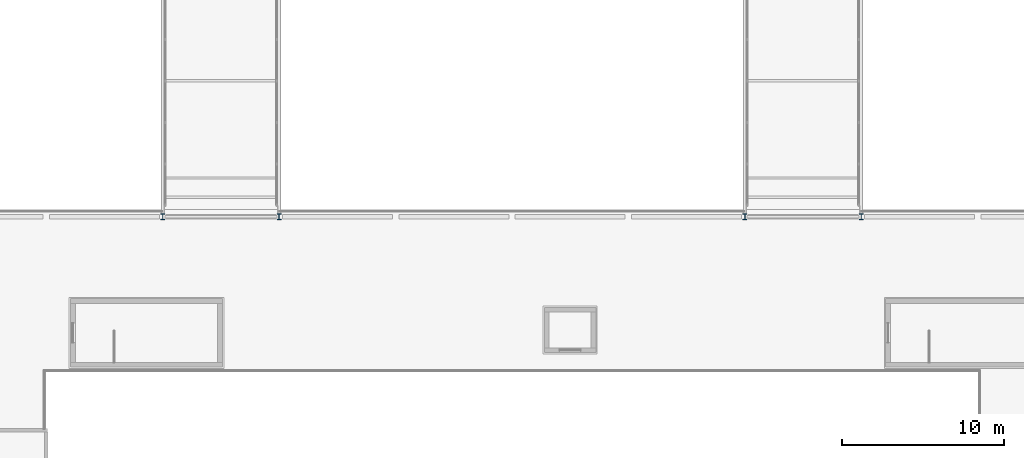
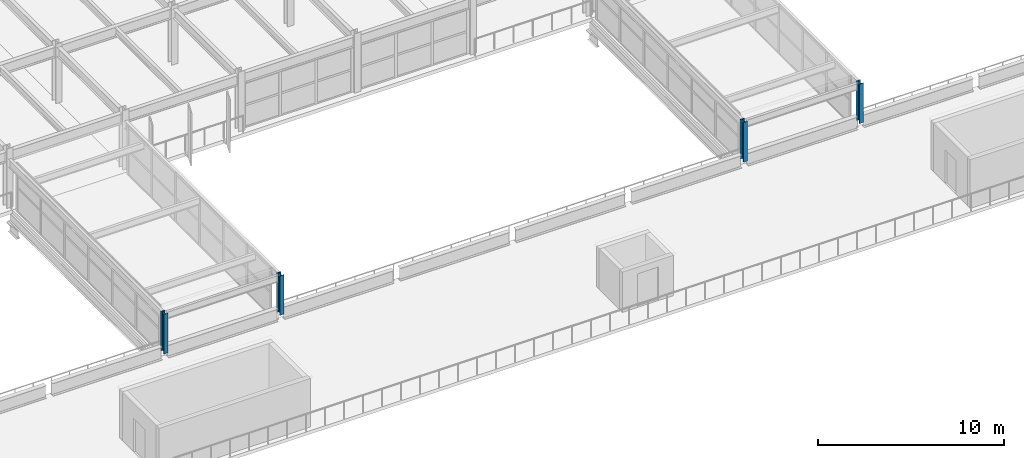
# One storey, part 1 of 93: 4 columns.
"""IFC4 building model written with IfcOpenShell, lengths in metres."""

from ifc_helpers import new_model, si_unit, direction, frame, origin, origin_2d, place, context, subcontext, project, spatial, i_section, extrude, material, material_profile, profile_set, type_object, element, save


model = new_model("IFC4")

# Units and contexts
model_context = context("Model", 3, precision=1e-05, world=origin(), true_north=direction((0.0, 1.0)))
body_context = subcontext(model_context, "Body", "Model", "MODEL_VIEW")
ifc_project = project(units=[si_unit("LENGTHUNIT", "METRE"), si_unit("AREAUNIT", "SQUARE_METRE"), si_unit("VOLUMEUNIT", "CUBIC_METRE"), si_unit("PLANEANGLEUNIT", "RADIAN"), si_unit("MASSUNIT", "GRAM", prefix="KILO")], contexts=[model_context])

# Site, building, storey
site_placement = place(None, origin())
site = spatial("IfcSite", under=ifc_project, at=site_placement, CompositionType="ELEMENT")
building_placement = place(site_placement, origin())
building = spatial("IfcBuilding", under=site, at=building_placement, Name="Vaelcorin Mobility Hub", CompositionType="ELEMENT")
storey_placement = place(building_placement, frame((0.0, 0.0, 5.39990234375)))
storey = spatial("IfcBuildingStorey", under=building, at=storey_placement, Name="L01", CompositionType="ELEMENT", Elevation=5.39990234375)

# Columns
ifc_material = material(Name="Steel ASTM A992 Grade 50", Category="steel")
ifc_material_profile = material_profile(ifc_material, i_section(OverallWidth=0.257080078125, OverallDepth=0.363037109375, WebThickness=0.012939453125, FlangeThickness=0.021728515625, FilletRadius=0.014892578125, at=origin_2d()), Name="W14X82")
ifc_profile_set = profile_set([ifc_material_profile], Name="Steel ASTM A992 Grade 50")
column_type = type_object("IfcColumnType", Name="COL-W14X82", PredefinedType="COLUMN", material=ifc_profile_set)
for number, where, z_axis, x_axis, name in (
    (1, (50.39990234375, 60.0, 0.60009765625), (0.0, 0.0, 1.0), (1.0, 0.0, 0.0), "Link Bridge Canopy Column LB1-W-S"),
    (2, (57.60009765625, 60.0, 0.60009765625), (0.0, 0.0, 1.0), (1.0, 0.0, 0.0), "Link Bridge Canopy Column LB1-E-S"),
    (3, (86.39990234375, 60.0, 0.60009765625), (0.0, 0.0, 1.0), (1.0, 0.0, 0.0), "Link Bridge Canopy Column LB2-W-S"),
    (4, (93.60009765625, 60.0, 0.60009765625), (0.0, 0.0, 1.0), (1.0, 0.0, 0.0), "Link Bridge Canopy Column LB2-E-S"),
):
    element("IfcColumn", number, at=place(storey_placement, frame(where, z_axis=z_axis, x_axis=x_axis)), inside=storey, type_object=column_type, Name=name, PredefinedType="COLUMN", context=body_context, shape_type="SweptSolid", body=[
        extrude(i_section(OverallWidth=0.257080078125, OverallDepth=0.363037109375, WebThickness=0.012939453125, FlangeThickness=0.021728515625, FilletRadius=0.014892578125, at=origin_2d()), origin(), (0.0, 0.0, 1.0), 2.60009765625),
    ])

save(model, "model.ifc")
